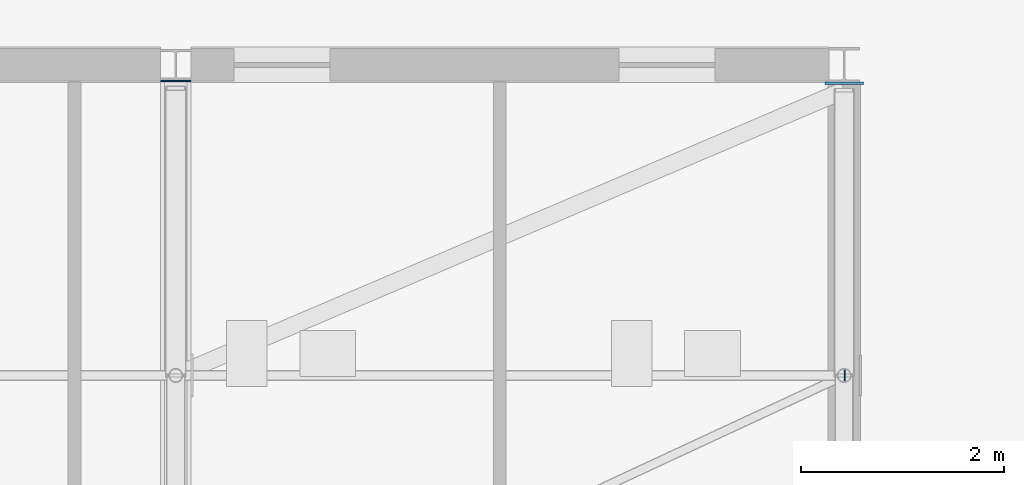
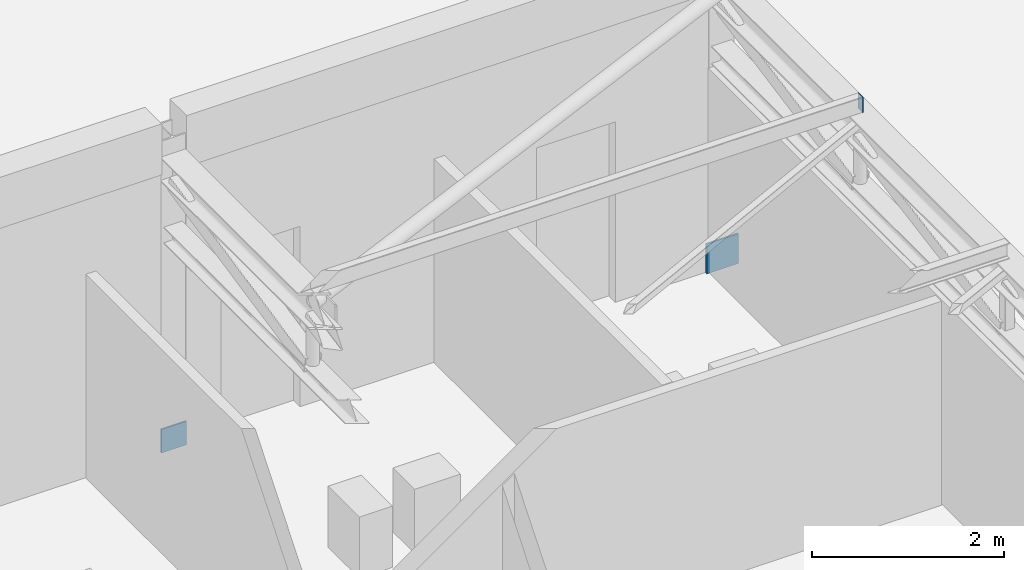
# One storey, part 61 of 92: 3 plates.
"""IFC4 building model written with IfcOpenShell, lengths in metres."""

from ifc_helpers import new_model, si_unit, direction, frame, origin, origin_2d, place, context, subcontext, project, spatial, rectangle, extrude, material, layer, layer_set, type_object, element, save


model = new_model("IFC4")

# Units and contexts
model_context = context("Model", 3, precision=1e-05, world=origin(), true_north=direction((0.0, 1.0)))
body_context = subcontext(model_context, "Body", "Model", "MODEL_VIEW")
ifc_project = project(units=[si_unit("LENGTHUNIT", "METRE"), si_unit("AREAUNIT", "SQUARE_METRE"), si_unit("VOLUMEUNIT", "CUBIC_METRE"), si_unit("PLANEANGLEUNIT", "RADIAN"), si_unit("MASSUNIT", "GRAM", prefix="KILO")], contexts=[model_context])

# Site, building, storey
site_placement = place(None, origin())
site = spatial("IfcSite", under=ifc_project, at=site_placement, CompositionType="ELEMENT")
building_placement = place(site_placement, origin())
building = spatial("IfcBuilding", under=site, at=building_placement, Name="Kernevlak Ridge Housing Community", CompositionType="ELEMENT")
storey_placement = place(building_placement, frame((0.0, 0.0, 4.199951171875)))
storey = spatial("IfcBuildingStorey", under=building, at=storey_placement, Name="L01", CompositionType="ELEMENT", Elevation=4.199951171875)

# Plates
ifc_material = material(Name="Steel S355", Category="steel")
ifc_layer_1 = layer(ifc_material, 0.010009765625, Name="Steel S355")
ifc_layer_set_1 = layer_set([ifc_layer_1], Name="Steel S355")
plate_type_1 = type_object("IfcPlateType", Name="EP-01", PredefinedType="USERDEFINED", material=ifc_layer_set_1)
plate_1_placement = place(storey_placement, frame((103.804931640625, 65.13330078125, 3.76025390625), z_axis=(0.0, 0.0, 1.0), x_axis=(1.0, 0.0, 0.0)))
element("IfcPlate", 1, at=plate_1_placement, inside=storey, type_object=plate_type_1, Name="Community Hall purlin end cap plate 6.6", ObjectType="STIFFENER_PLATE", PredefinedType="USERDEFINED", context=body_context, shape_type="SweptSolid", body=[
    extrude(rectangle(XDim=0.010009765625, YDim=0.10009765625, at=origin_2d()), origin(), (0.0, 0.0, 1.0), 0.199951171875),
])
ifc_layer_2 = layer(ifc_material, 0.01806640625, Name="Steel S355")
ifc_layer_set_2 = layer_set([ifc_layer_2], Name="Steel S355")
plate_type_2 = type_object("IfcPlateType", Name="GP-04", PredefinedType="USERDEFINED", material=ifc_layer_set_2)
plate_2_placement = place(storey_placement, frame((97.199951171875, 68.041015625, 0.0), z_axis=(0.0, 0.0, 1.0), x_axis=(1.0, 0.0, 0.0)))
element("IfcPlate", 2, at=plate_2_placement, inside=storey, type_object=plate_type_2, Name="Truss column bearing stiffener plate 6.2", ObjectType="STIFFENER_PLATE", PredefinedType="USERDEFINED", context=body_context, shape_type="SweptSolid", body=[
    extrude(rectangle(XDim=0.300048828125, YDim=0.01806640625, at=origin_2d()), origin(), (0.0, 0.0, 1.0), 0.300048828125),
])
ifc_layer_3 = layer(ifc_material, 0.02197265625, Name="Steel S355")
ifc_layer_set_3 = layer_set([ifc_layer_3], Name="Steel S355")
plate_type_3 = type_object("IfcPlateType", Name="GP-05", PredefinedType="USERDEFINED", material=ifc_layer_set_3)
plate_3_placement = place(storey_placement, frame((103.800048828125, 68.01904296875, 0.0), z_axis=(0.0, 0.0, 1.0), x_axis=(1.0, 0.0, 0.0)))
element("IfcPlate", 3, at=plate_3_placement, inside=storey, type_object=plate_type_3, Name="Truss column bearing stiffener plate 7.2", ObjectType="STIFFENER_PLATE", PredefinedType="USERDEFINED", context=body_context, shape_type="SweptSolid", body=[
    extrude(rectangle(XDim=0.3798828125, YDim=0.02197265625, at=origin_2d()), origin(), (0.0, 0.0, 1.0), 0.3798828125),
])

save(model, "model.ifc")
